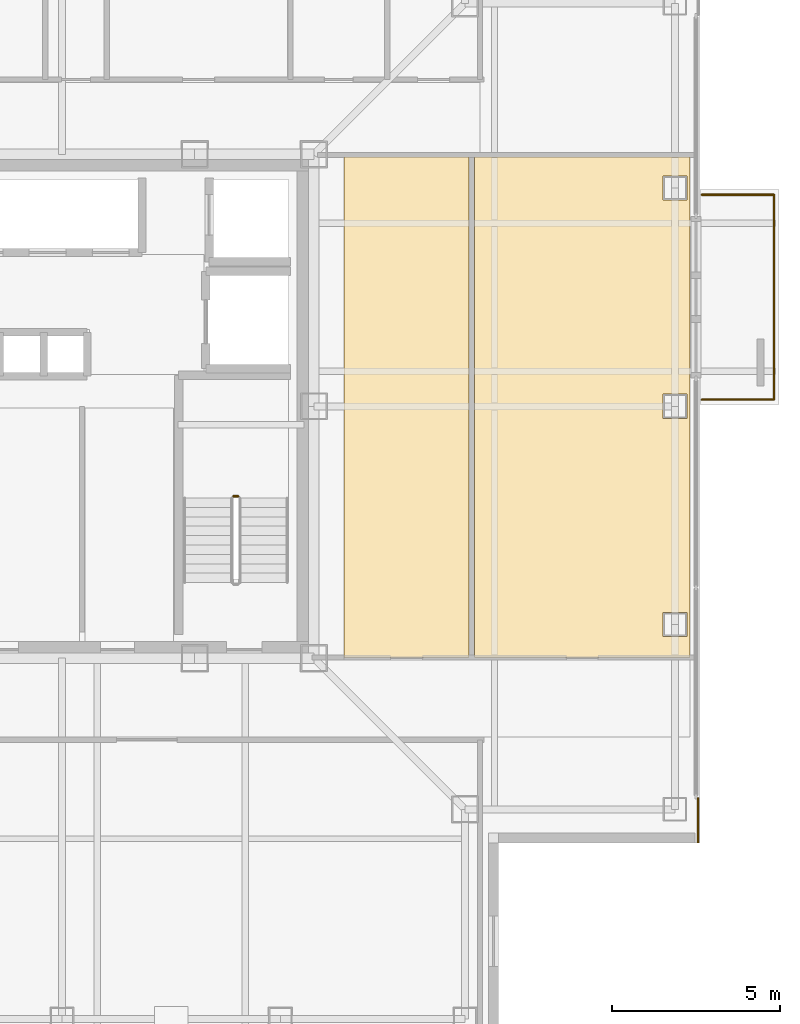
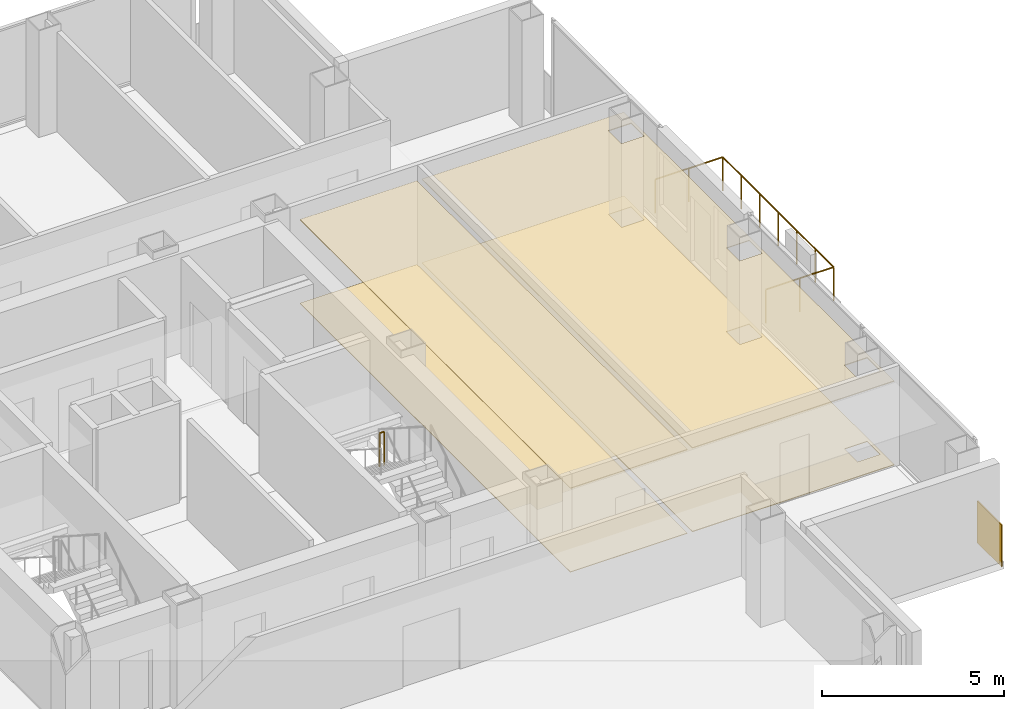
# One storey, part 14 of 15: 5 coverings, 4 railings.
"""IFC4 building model written with IfcOpenShell, lengths in metres."""

import ifcopenshell
import ifcopenshell.guid

model = None  # the IFC model being written
_history = None  # IfcOwnerHistory: only IFC2X3 demands one
_inside = {}  # id of a spatial element -> (the spatial element, [elements in it])
_under = {}  # id of a project, library or spatial element -> (it, [spatial elements below it])
_declared = {}  # id of a project -> (the project, [libraries it declares])
_typed = {}  # id of a type object -> (the type object, [elements of that type])
_made_of = {}  # id of a material, layer set ... -> (it, [elements and type objects made of it])


def new_model(schema):
    """Start an empty IFC model of exactly this schema.

    Asked for "IFC4X3", IfcOpenShell would pick the latest addendum, in which some entities
    have other attributes; the version numbers below select the first issue.
    IFC2X3 requires an IfcOwnerHistory on every rooted entity: one is made here for all.
    """
    global model, _history
    if schema == "IFC4X3":
        model = ifcopenshell.file(schema_version=(4, 3, 0, 0))
    else:
        model = ifcopenshell.file(schema=schema)
    _inside.clear()
    _under.clear()
    _declared.clear()
    _typed.clear()
    _made_of.clear()
    _history = None
    if model.schema == "IFC2X3":
        org = make("IfcOrganization", Name="unknown")
        user = make(
            "IfcPersonAndOrganization",
            ThePerson=make("IfcPerson", FamilyName="unknown"),
            TheOrganization=org,
        )
        app = make(
            "IfcApplication",
            ApplicationDeveloper=org,
            Version="unknown",
            ApplicationFullName="unknown",
            ApplicationIdentifier="unknown",
        )
        _history = make(
            "IfcOwnerHistory",
            OwningUser=user,
            OwningApplication=app,
            ChangeAction="ADDED",
            CreationDate=0,
        )
    return model


def make(cls, **values):
    """One entity of the class cls with the attributes given. An attribute that is None is left unset."""
    return model.create_entity(
        cls, **{name: value for name, value in values.items() if value is not None}
    )


def rooted(cls, **values):
    """An entity with a GlobalId (a new one), such as an element, a storey or a relation."""
    return make(cls, GlobalId=ifcopenshell.guid.new(), OwnerHistory=_history, **values)


def si_unit(unit_type, name, prefix=None):
    """IfcSIUnit, for example si_unit("LENGTHUNIT", "METRE", prefix="MILLI")."""
    return make("IfcSIUnit", UnitType=unit_type, Prefix=prefix, Name=name)


def assignment(units):
    """IfcUnitAssignment: the units of a project."""
    return None if units is None else make("IfcUnitAssignment", Units=units)


def point(xyz):
    """IfcCartesianPoint."""
    return None if xyz is None else make("IfcCartesianPoint", Coordinates=xyz)


def direction(xyz):
    """IfcDirection."""
    return None if xyz is None else make("IfcDirection", DirectionRatios=xyz)


def frame(location, z_axis=None, x_axis=None):
    """IfcAxis2Placement3D, a coordinate frame: its origin and axes. An axis left out is left unset."""
    return make(
        "IfcAxis2Placement3D",
        Location=point(location),
        Axis=direction(z_axis),
        RefDirection=direction(x_axis),
    )


def frame_2d(location, x_axis=None):
    """IfcAxis2Placement2D, a coordinate frame in the plane: its origin and x axis."""
    return make(
        "IfcAxis2Placement2D", Location=point(location), RefDirection=direction(x_axis)
    )


def origin():
    """The frame at (0, 0, 0) with its axes left unset."""
    return frame((0.0, 0.0, 0.0))


def origin_2d():
    """The frame at (0, 0) in the plane with its x axis left unset."""
    return frame_2d((0.0, 0.0))


def place(relative_to, where):
    """IfcLocalPlacement: puts the frame where relative to a parent placement (None: the world)."""
    return make(
        "IfcLocalPlacement", PlacementRelTo=relative_to, RelativePlacement=where
    )


def context(
    kind, dimensions, precision=None, world=None, true_north=None, identifier=None
):
    """IfcGeometricRepresentationContext, for example the 3D "Model" context."""
    return make(
        "IfcGeometricRepresentationContext",
        ContextIdentifier=identifier,
        ContextType=kind,
        CoordinateSpaceDimension=dimensions,
        Precision=precision,
        WorldCoordinateSystem=world,
        TrueNorth=true_north,
    )


def subcontext(parent, identifier, kind, view, scale=None):
    """IfcGeometricRepresentationSubContext, for example "Body" below "Model"."""
    return make(
        "IfcGeometricRepresentationSubContext",
        ContextIdentifier=identifier,
        ContextType=kind,
        ParentContext=parent,
        TargetScale=scale,
        TargetView=view,
    )


def project(units=None, contexts=None):
    """IfcProject with its units and contexts."""
    return rooted(
        "IfcProject",
        Name="project",
        RepresentationContexts=contexts,
        UnitsInContext=assignment(units),
    )


def spatial(cls, under=None, at=None, **own):
    """A site, building, storey or space (cls), placed at a placement, below another one or the project."""
    s = rooted(cls, ObjectPlacement=at, **own)
    if under is not None:
        _under.setdefault(under.id(), (under, []))[1].append(s)
    return s


def polyline(points):
    """IfcPolyline through the points."""
    return make("IfcPolyline", Points=[point(p) for p in points])


def profile(cls, at=None, kind="AREA", **sizes):
    """A parametric profile (cls). Its sizes go by their IFC names, for example OverallWidth=200.0."""
    return make(cls, ProfileType=kind, Position=at, **sizes)


def rectangle(**sizes):
    """IfcRectangleProfileDef."""
    return profile("IfcRectangleProfileDef", **sizes)


def circle(**sizes):
    """IfcCircleProfileDef."""
    return profile("IfcCircleProfileDef", **sizes)


def outline(outer, holes=None, kind="AREA"):
    """IfcArbitraryClosedProfileDef: a profile drawn as a closed curve; with holes, ...WithVoids."""
    if holes is None:
        return make("IfcArbitraryClosedProfileDef", ProfileType=kind, OuterCurve=outer)
    return make(
        "IfcArbitraryProfileDefWithVoids",
        ProfileType=kind,
        OuterCurve=outer,
        InnerCurves=holes,
    )


def extrude(swept, where, along, depth):
    """IfcExtrudedAreaSolid: the profile swept, set in the frame where, extruded along a direction by depth."""
    return make(
        "IfcExtrudedAreaSolid",
        SweptArea=swept,
        Position=where,
        ExtrudedDirection=direction(along),
        Depth=depth,
    )


def shape(context_of_items, identifier, shape_type, items):
    """IfcShapeRepresentation: the items that make up one representation, for example the "Body"."""
    return make(
        "IfcShapeRepresentation",
        ContextOfItems=context_of_items,
        RepresentationIdentifier=identifier,
        RepresentationType=shape_type,
        Items=items,
    )


def material(Name=None, Category=None):
    """IfcMaterial."""
    return make("IfcMaterial", Name=Name, Category=Category)


def layer(
    of_material, thickness, ventilated=None, Name=None, Category=None, Priority=None
):
    """IfcMaterialLayer: one layer of a wall or slab, of a material (None: an air gap)."""
    return make(
        "IfcMaterialLayer",
        Material=of_material,
        LayerThickness=thickness,
        IsVentilated=ventilated,
        Name=Name,
        Category=Category,
        Priority=Priority,
    )


def layer_set(layers, Name=None):
    """IfcMaterialLayerSet."""
    return make("IfcMaterialLayerSet", MaterialLayers=layers, LayerSetName=Name)


def made_of(thing, what):
    """Note that an element or type object is made of a material, layer set ...; save() writes the relation."""
    if what is not None:
        _made_of.setdefault(what.id(), (what, []))[1].append(thing)
    return thing


def type_object(cls, material=None, **own):
    """A type object (cls), such as IfcWallType, which elements share."""
    return made_of(rooted(cls, **own), material)


def element(
    cls,
    number,
    at=None,
    inside=None,
    cuts=None,
    type_object=None,
    material=None,
    context=None,
    identifier="Body",
    shape_type=None,
    held_by="IfcProductDefinitionShape",
    body=None,
    shapes=None,
    **own,
):
    """One element of the class cls, such as IfcWall. Its Tag is "e" and its number.

    at: its placement. inside: the storey or other place that contains it. cuts: it is an
    opening in that element (IfcRelVoidsElement). A single representation is given by context,
    identifier, shape_type and body (its items); several are given by shapes. held_by: the class
    of the entity that holds the representations. save() writes the other relations.
    """
    e = rooted(cls, Tag="e%d" % number, ObjectPlacement=at, **own)
    if body is not None:
        shapes = [shape(context, identifier, shape_type, body)]
    if shapes is not None:
        e.Representation = make(held_by, Representations=shapes)
    if inside is not None:
        _inside.setdefault(inside.id(), (inside, []))[1].append(e)
    if cuts is not None:
        rooted(
            "IfcRelVoidsElement", RelatingBuildingElement=cuts, RelatedOpeningElement=e
        )
    if type_object is not None:
        _typed.setdefault(type_object.id(), (type_object, []))[1].append(e)
    return made_of(e, material)


def aggregate(whole, parts):
    """IfcRelAggregates: a whole, such as a stair, and the parts it consists of."""
    return rooted("IfcRelAggregates", RelatingObject=whole, RelatedObjects=parts)


def save(model, path):
    """Write the relations noted so far, then the file.

    IfcRelAggregates (storeys below a building ...), IfcRelContainedInSpatialStructure (elements
    in a storey), IfcRelDefinesByType, IfcRelAssociatesMaterial and IfcRelDeclares: one each for
    every whole, place, type object, material and project.
    """
    for whole, parts in _under.values():
        aggregate(whole, parts)
    for where, things in _inside.values():
        rooted(
            "IfcRelContainedInSpatialStructure",
            RelatedElements=things,
            RelatingStructure=where,
        )
    for kind, things in _typed.values():
        rooted("IfcRelDefinesByType", RelatedObjects=things, RelatingType=kind)
    for what, things in _made_of.values():
        rooted("IfcRelAssociatesMaterial", RelatedObjects=things, RelatingMaterial=what)
    for by, libraries in _declared.values():
        rooted("IfcRelDeclares", RelatingContext=by, RelatedDefinitions=libraries)
    model.write(path)


model = new_model("IFC4")

# Units and contexts
model_context = context("Model", 3, precision=1e-05, world=origin(), true_north=direction((0.0, 1.0)))
body_context = subcontext(model_context, "Body", "Model", "MODEL_VIEW")
ifc_project = project(units=[si_unit("LENGTHUNIT", "METRE"), si_unit("AREAUNIT", "SQUARE_METRE"), si_unit("VOLUMEUNIT", "CUBIC_METRE"), si_unit("PLANEANGLEUNIT", "RADIAN"), si_unit("MASSUNIT", "GRAM", prefix="KILO")], contexts=[model_context])

# Site, building, storey
site_placement = place(None, origin())
site = spatial("IfcSite", under=ifc_project, at=site_placement, CompositionType="ELEMENT")
building_placement = place(site_placement, origin())
building = spatial("IfcBuilding", under=site, at=building_placement, Name="Trevonay Congress Spire", CompositionType="ELEMENT")
storey_placement = place(building_placement, frame((0.0, 0.0, 243.199951171875)))
storey = spatial("IfcBuildingStorey", under=building, at=storey_placement, Name="L63", CompositionType="ELEMENT", Elevation=243.199951171875)

# Coverings
ifc_material_1 = material(Name="Acoustic Mineral Fibre Board", Category="gypsum")
ifc_layer_1 = layer(ifc_material_1, 0.02490234375, Name="Acoustic Mineral Fibre Board")
ifc_layer_set_1 = layer_set([ifc_layer_1], Name="Acoustic Mineral Fibre Board")
covering_type_1 = type_object("IfcCoveringType", Name="COV-CEIL-ACOUSTIC", PredefinedType="CEILING", material=ifc_layer_set_1)
covering_1_placement = place(storey_placement, frame((0.0, 0.0, 2.81005859375)))
element("IfcCovering", 1, at=covering_1_placement, inside=storey, type_object=covering_type_1, Name="L63 Executive Study Office acoustic suspended ceiling", PredefinedType="CEILING", context=body_context, shape_type="SweptSolid", body=[
    extrude(outline(polyline([(8.39990234375, -7.47998046875), (12.1201171875, -7.47998046875), (12.1201171875, 7.419921875), (8.39990234375, 7.419921875), (8.39990234375, -7.47998046875)])), origin(), (0.0, 0.0, 1.0), 0.02490234375),
])
covering_2_placement = place(storey_placement, frame((0.0, 0.0, 2.81005859375)))
element("IfcCovering", 2, at=covering_2_placement, inside=storey, type_object=covering_type_1, Name="L63 Catering Pantry acoustic suspended ceiling", PredefinedType="CEILING", context=body_context, shape_type="SweptSolid", body=[
    extrude(outline(polyline([(12.280029296875, 7.419921875), (18.699951171875, 7.419921875), (18.699951171875, -7.47998046875), (12.280029296875, -7.47998046875), (12.280029296875, 7.419921875)]), holes=[polyline([(17.889892578125, -6.860107421875), (18.610107421875, -6.860107421875), (18.610107421875, -6.139892578125), (17.889892578125, -6.139892578125), (17.889892578125, -6.860107421875)]), polyline([(17.889892578125, 0.360107421875), (17.889892578125, -0.360107421875), (18.610107421875, -0.360107421875), (18.610107421875, 0.360107421875), (17.889892578125, 0.360107421875)]), polyline([(17.889892578125, 6.860107421875), (17.889892578125, 6.139892578125), (18.610107421875, 6.139892578125), (18.610107421875, 6.860107421875), (17.889892578125, 6.860107421875)])]), origin(), (0.0, 0.0, 1.0), 0.02490234375),
])
ifc_material_2 = material(Name="Polished Granite Floor Tile", Category="masonry")
ifc_layer_2 = layer(ifc_material_2, 0.02001953125, Name="Polished Granite Floor Tile")
ifc_layer_set_2 = layer_set([ifc_layer_2], Name="Polished Granite Floor Tile")
covering_type_2 = type_object("IfcCoveringType", Name="COV-FLOOR-STONE", PredefinedType="FLOORING", material=ifc_layer_set_2)
covering_3_placement = place(storey_placement, origin())
element("IfcCovering", 3, at=covering_3_placement, inside=storey, type_object=covering_type_2, Name="L63 Catering Pantry floor finish", PredefinedType="FLOORING", context=body_context, shape_type="SweptSolid", body=[
    extrude(outline(polyline([(12.280029296875, 7.419921875), (18.699951171875, 7.419921875), (18.699951171875, -7.47998046875), (12.280029296875, -7.47998046875), (12.280029296875, 7.419921875)]), holes=[polyline([(17.889892578125, -6.860107421875), (18.610107421875, -6.860107421875), (18.610107421875, -6.139892578125), (17.889892578125, -6.139892578125), (17.889892578125, -6.860107421875)]), polyline([(17.889892578125, 0.360107421875), (17.889892578125, -0.360107421875), (18.610107421875, -0.360107421875), (18.610107421875, 0.360107421875), (17.889892578125, 0.360107421875)]), polyline([(17.889892578125, 6.860107421875), (17.889892578125, 6.139892578125), (18.610107421875, 6.139892578125), (18.610107421875, 6.860107421875), (17.889892578125, 6.860107421875)])]), origin(), (0.0, 0.0, 1.0), 0.02001953125),
])
ifc_material_3 = material(Name="Engineered Oak Flooring", Category="wood")
ifc_layer_3 = layer(ifc_material_3, 0.01806640625, Name="Engineered Oak Flooring")
ifc_layer_set_3 = layer_set([ifc_layer_3], Name="Engineered Oak Flooring")
covering_type_3 = type_object("IfcCoveringType", Name="COV-FLOOR-TIMBER", PredefinedType="FLOORING", material=ifc_layer_set_3)
covering_4_placement = place(storey_placement, origin())
element("IfcCovering", 4, at=covering_4_placement, inside=storey, type_object=covering_type_3, Name="L63 Executive Study Office floor finish", PredefinedType="FLOORING", context=body_context, shape_type="SweptSolid", body=[
    extrude(outline(polyline([(8.39990234375, -7.47998046875), (12.1201171875, -7.47998046875), (12.1201171875, 7.419921875), (8.39990234375, 7.419921875), (8.39990234375, -7.47998046875)])), origin(), (0.0, 0.0, 1.0), 0.01806640625),
])
ifc_material_4 = material(Name="Pale Anodised Aluminium EN AW-6063-T6", Category="aluminium")
ifc_layer_4 = layer(ifc_material_4, 0.0400390625, Name="Pale Anodised Aluminium EN AW-6063-T6")
ifc_layer_set_4 = layer_set([ifc_layer_4], Name="Pale Anodised Aluminium EN AW-6063-T6")
covering_type_4 = type_object("IfcCoveringType", Name="COV-SPANDREL-PALE-METAL", PredefinedType="CLADDING", material=ifc_layer_set_4)
covering_5_placement = place(storey_placement, frame((18.93994140625, -11.64990234375, -0.14990234375), z_axis=(0.0, 0.0, 1.0), x_axis=(0.0, -1.0, 0.0)))
element("IfcCovering", 5, at=covering_5_placement, inside=storey, type_object=covering_type_4, Name="L63 SE corner pier spandrel cladding 1", PredefinedType="CLADDING", context=body_context, shape_type="SweptSolid", body=[
    extrude(rectangle(XDim=1.35009765625, YDim=0.0400390625, at=frame_2d((0.675048828125, 0.0))), origin(), (0.0, 0.0, 1.0), 1.39990234375),
])

# Railings
railing_type_1 = type_object("IfcRailingType", Name="RAL-EXT-GUARD-115", PredefinedType="GUARDRAIL", material=ifc_material_4)
railing_1_placement = place(storey_placement, frame((19.050048828125, 0.199951171875, 0.0)))
element("IfcRailing", 6, at=railing_1_placement, inside=storey, type_object=railing_type_1, Name="L63 perimeter safety guard GRD-L63-TBAL-E-1", PredefinedType="GUARDRAIL", context=body_context, shape_type="SweptSolid", body=[
    extrude(circle(Radius=0.02392578125, at=origin_2d()), frame((0.0, 0.0, 1.1259765625), z_axis=(1.0, 0.0, 0.0), x_axis=(0.0, 1.0, 0.0)), (0.0, 0.0, 1.0), 2.14990234375),
    extrude(circle(Radius=0.02099609375, at=origin_2d()), origin(), (0.0, 0.0, 1.0), 1.101806640625),
    extrude(circle(Radius=0.02099609375, at=origin_2d()), frame((1.074951171875, 0.0, 0.0)), (0.0, 0.0, 1.0), 1.101806640625),
    extrude(circle(Radius=0.02099609375, at=origin_2d()), frame((2.14990234375, 0.0, 0.0)), (0.0, 0.0, 1.0), 1.101806640625),
])
railing_2_placement = place(storey_placement, frame((21.199951171875, 0.199951171875, 0.0)))
element("IfcRailing", 7, at=railing_2_placement, inside=storey, type_object=railing_type_1, Name="L63 perimeter safety guard GRD-L63-TBAL-E-2", PredefinedType="GUARDRAIL", context=body_context, shape_type="SweptSolid", body=[
    extrude(circle(Radius=0.02392578125, at=origin_2d()), frame((0.0, 0.0, 1.1259765625), z_axis=(0.0, 1.0, 0.0), x_axis=(-1.0, 0.0, 0.0)), (0.0, 0.0, 1.0), 6.10009765625),
    extrude(circle(Radius=0.02099609375, at=origin_2d()), origin(), (0.0, 0.0, 1.0), 1.101806640625),
    extrude(circle(Radius=0.02099609375, at=origin_2d()), frame((0.0, 1.0166015625, 0.0)), (0.0, 0.0, 1.0), 1.101806640625),
    extrude(circle(Radius=0.02099609375, at=origin_2d()), frame((0.0, 2.033447265625, 0.0)), (0.0, 0.0, 1.0), 1.101806640625),
    extrude(circle(Radius=0.02099609375, at=origin_2d()), frame((0.0, 3.050048828125, 0.0)), (0.0, 0.0, 1.0), 1.101806640625),
    extrude(circle(Radius=0.02099609375, at=origin_2d()), frame((0.0, 4.066650390625, 0.0)), (0.0, 0.0, 1.0), 1.101806640625),
    extrude(circle(Radius=0.02099609375, at=origin_2d()), frame((0.0, 5.08349609375, 0.0)), (0.0, 0.0, 1.0), 1.101806640625),
    extrude(circle(Radius=0.02099609375, at=origin_2d()), frame((0.0, 6.10009765625, 0.0)), (0.0, 0.0, 1.0), 1.101806640625),
])
railing_3_placement = place(storey_placement, frame((21.199951171875, 6.300048828125, 0.0)))
element("IfcRailing", 8, at=railing_3_placement, inside=storey, type_object=railing_type_1, Name="L63 perimeter safety guard GRD-L63-TBAL-E-3", PredefinedType="GUARDRAIL", context=body_context, shape_type="SweptSolid", body=[
    extrude(circle(Radius=0.02392578125, at=origin_2d()), frame((0.0, 0.0, 1.1259765625), z_axis=(-1.0, 0.0, 0.0), x_axis=(0.0, -1.0, 0.0)), (0.0, 0.0, 1.0), 2.14990234375),
    extrude(circle(Radius=0.02099609375, at=origin_2d()), origin(), (0.0, 0.0, 1.0), 1.101806640625),
    extrude(circle(Radius=0.02099609375, at=origin_2d()), frame((-1.074951171875, 0.0, 0.0)), (0.0, 0.0, 1.0), 1.101806640625),
    extrude(circle(Radius=0.02099609375, at=origin_2d()), frame((-2.14990234375, 0.0, 0.0)), (0.0, 0.0, 1.0), 1.101806640625),
])
railing_type_2 = type_object("IfcRailingType", Name="RAL-STAIR-GUARD-110", PredefinedType="GUARDRAIL", material=ifc_material_4)
railing_4_placement = place(storey_placement, frame((5.25, -2.679931640625, 1.800048828125)))
element("IfcRailing", 9, at=railing_4_placement, inside=storey, type_object=railing_type_2, Name="L63 ST-2 stair guard 2", PredefinedType="GUARDRAIL", context=body_context, shape_type="SweptSolid", body=[
    extrude(circle(Radius=0.02392578125, at=origin_2d()), frame((0.0, 0.0, 1.1259765625), z_axis=(-1.0, 0.0, 0.0), x_axis=(0.0, -1.0, 0.0)), (0.0, 0.0, 1.0), 0.14990234375),
    extrude(circle(Radius=0.02099609375, at=origin_2d()), origin(), (0.0, 0.0, 1.0), 1.101806640625),
    extrude(circle(Radius=0.02099609375, at=origin_2d()), frame((-0.14990234375, 0.0, 0.0)), (0.0, 0.0, 1.0), 1.101806640625),
])

save(model, "model.ifc")
